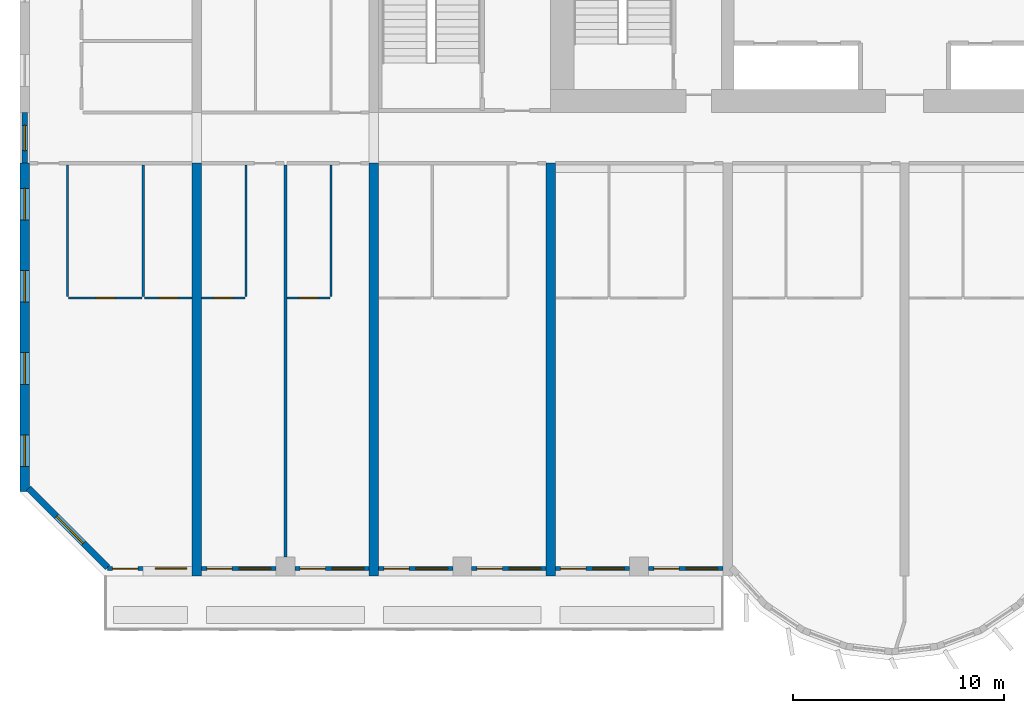
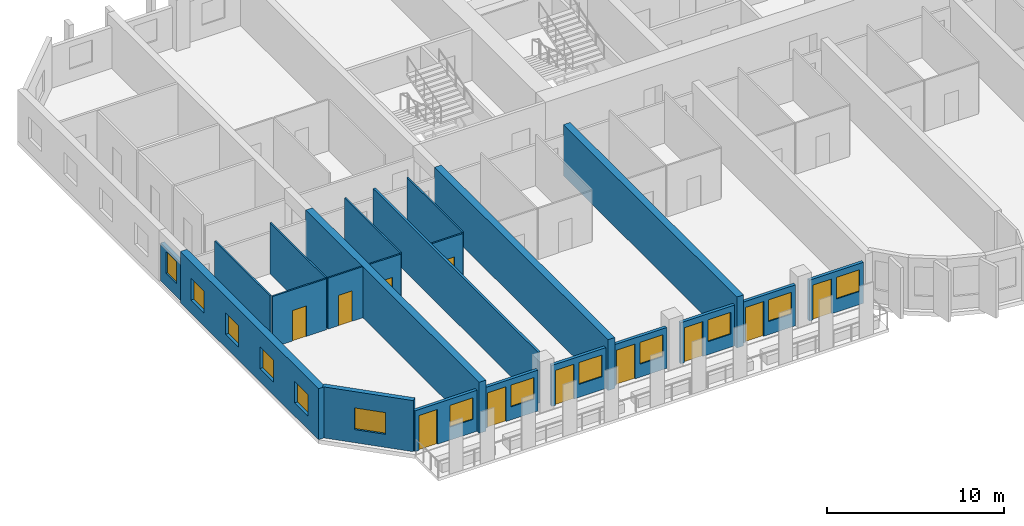
# One storey, part 2 of 14: 22 walls, 13 windows, 11 doors, 24 openings.
"""IFC4 building model written with IfcOpenShell, lengths in metres."""

from ifc_helpers import new_model, si_unit, direction, frame, frame_2d, origin, place, context, subcontext, project, spatial, rectangle, extrude, source, transform, mapped, material, layer, layer_set, type_object, element, fill, save


model = new_model("IFC4")

# Units and contexts
model_context = context("Model", 3, precision=1e-05, world=origin(), true_north=direction((0.0, 1.0)))
body_context = subcontext(model_context, "Body", "Model", "MODEL_VIEW")
ifc_project = project(units=[si_unit("LENGTHUNIT", "METRE"), si_unit("AREAUNIT", "SQUARE_METRE"), si_unit("VOLUMEUNIT", "CUBIC_METRE"), si_unit("PLANEANGLEUNIT", "RADIAN"), si_unit("MASSUNIT", "GRAM", prefix="KILO")], contexts=[model_context])

# Site, building, storey
site_placement = place(None, origin())
site = spatial("IfcSite", under=ifc_project, at=site_placement, CompositionType="ELEMENT")
building_placement = place(site_placement, origin())
building = spatial("IfcBuilding", under=site, at=building_placement, Name="Vanashikhar Sky Hotel", CompositionType="ELEMENT")
storey_placement = place(building_placement, frame((0.0, 0.0, 43.0)))
storey = spatial("IfcBuildingStorey", under=building, at=storey_placement, Name="L09", CompositionType="ELEMENT", Elevation=43.0)

# Wall, openings, windows
ifc_material_1 = material(Name="Concrete M80", Category="concrete")
ifc_layer_1 = layer(ifc_material_1, 0.449951171875)
ifc_layer_set_1 = layer_set([ifc_layer_1], Name="RC shear wall 450 Concrete M80")
wall_type_1 = type_object("IfcWallType", Name="RC shear wall 450 Concrete M80", PredefinedType="SHEAR", material=ifc_layer_set_1)
shared_shape_1 = source(origin(), body_context, "Body", "SweptSolid", [
    extrude(rectangle(XDim=15.60009765625, YDim=0.449951171875, at=frame_2d((7.800048828125, 0.0))), origin(), (0.0, 0.0, 1.0), 3.52001953125),
])
wall_1_placement = place(storey_placement, frame((0.22509765625, 4.0, 0.0), z_axis=(0.0, 0.0, 1.0), x_axis=(0.0, 1.0, 0.0)))
wall_1 = element("IfcWall", 1, at=wall_1_placement, inside=storey, type_object=wall_type_1, Name="CW-L09-XW01-1", PredefinedType="SHEAR", context=body_context, shape_type="MappedRepresentation", body=[
    mapped(shared_shape_1, transform((0.0, 0.0, 0.0), scale=1.0)),
])
shared_shape_2 = source(origin(), body_context, "Body", "SweptSolid", [
    extrude(rectangle(XDim=1.5, YDim=1.5, at=frame_2d((0.75, 0.75))), frame((0.0, 0.23486328125, 0.0), z_axis=(0.0, -1.0, 0.0), x_axis=(1.0, 0.0, 0.0)), (0.0, 0.0, 1.0), 0.469970703125),
])
opening_1_placement = place(wall_1_placement, frame((1.199951171875, 0.0, 0.89990234375)))
opening_1 = element("IfcOpeningElement", 2, at=opening_1_placement, cuts=wall_1, Name="Opening WN-1", PredefinedType="OPENING", context=body_context, shape_type="MappedRepresentation", body=[
    mapped(shared_shape_2, transform((0.0, 0.0, 0.0), scale=1.0)),
])
opening_2_placement = place(wall_1_placement, frame((5.10009765625, 0.0, 0.89990234375)))
opening_2 = element("IfcOpeningElement", 3, at=opening_2_placement, cuts=wall_1, Name="Opening WN-1", PredefinedType="OPENING", context=body_context, shape_type="MappedRepresentation", body=[
    mapped(shared_shape_2, transform((0.0, 0.0, 0.0), scale=1.0)),
])
opening_3_placement = place(wall_1_placement, frame((9.0, 0.0, 0.89990234375)))
opening_3 = element("IfcOpeningElement", 4, at=opening_3_placement, cuts=wall_1, Name="Opening WN-1", PredefinedType="OPENING", context=body_context, shape_type="MappedRepresentation", body=[
    mapped(shared_shape_2, transform((0.0, 0.0, 0.0), scale=1.0)),
])
opening_4_placement = place(wall_1_placement, frame((12.89990234375, 0.0, 0.89990234375)))
opening_4 = element("IfcOpeningElement", 5, at=opening_4_placement, cuts=wall_1, Name="Opening WN-1", PredefinedType="OPENING", context=body_context, shape_type="MappedRepresentation", body=[
    mapped(shared_shape_2, transform((0.0, 0.0, 0.0), scale=1.0)),
])
ifc_material_2 = material(Name="Glass", Category="glass")
window_type_1 = type_object("IfcWindowType", Name="Window 1500 x 1500", PartitioningType="SINGLE_PANEL", PredefinedType="WINDOW", material=ifc_material_2)
shared_shape_3 = source(origin(), body_context, "Body", "SweptSolid", [
    extrude(rectangle(XDim=1.5, YDim=1.5, at=frame_2d((0.75, 0.75))), frame((0.0, 0.030029296875, 0.0), z_axis=(0.0, -1.0, 0.0), x_axis=(1.0, 0.0, 0.0)), (0.0, 0.0, 1.0), 0.06005859375),
])
window_1_placement = place(opening_1_placement, origin())
window_1 = element("IfcWindow", 6, at=window_1_placement, inside=storey, type_object=window_type_1, Name="Window WN-1", OverallHeight=1.5, OverallWidth=1.5, PartitioningType="SINGLE_PANEL", PredefinedType="WINDOW", context=body_context, shape_type="MappedRepresentation", body=[
    mapped(shared_shape_3, transform((0.0, 0.0, 0.0), scale=1.0)),
])
fill(opening_1, window_1)
window_2_placement = place(opening_2_placement, origin())
window_2 = element("IfcWindow", 7, at=window_2_placement, inside=storey, type_object=window_type_1, Name="Window WN-1", OverallHeight=1.5, OverallWidth=1.5, PartitioningType="SINGLE_PANEL", PredefinedType="WINDOW", context=body_context, shape_type="MappedRepresentation", body=[
    mapped(shared_shape_3, transform((0.0, 0.0, 0.0), scale=1.0)),
])
fill(opening_2, window_2)
window_3_placement = place(opening_3_placement, origin())
window_3 = element("IfcWindow", 8, at=window_3_placement, inside=storey, type_object=window_type_1, Name="Window WN-1", OverallHeight=1.5, OverallWidth=1.5, PartitioningType="SINGLE_PANEL", PredefinedType="WINDOW", context=body_context, shape_type="MappedRepresentation", body=[
    mapped(shared_shape_3, transform((0.0, 0.0, 0.0), scale=1.0)),
])
fill(opening_3, window_3)
window_4_placement = place(opening_4_placement, origin())
window_4 = element("IfcWindow", 9, at=window_4_placement, inside=storey, type_object=window_type_1, Name="Window WN-1", OverallHeight=1.5, OverallWidth=1.5, PartitioningType="SINGLE_PANEL", PredefinedType="WINDOW", context=body_context, shape_type="MappedRepresentation", body=[
    mapped(shared_shape_3, transform((0.0, 0.0, 0.0), scale=1.0)),
])
fill(opening_4, window_4)

# Walls
shared_shape_4 = source(origin(), body_context, "Body", "SweptSolid", [
    extrude(rectangle(XDim=19.60009765625, YDim=0.449951171875, at=frame_2d((9.800048828125, 0.0))), origin(), (0.0, 0.0, 1.0), 3.52001953125),
])
for number, where, z_axis, x_axis, name in (
    (10, (8.39990234375, 0.0, 0.0), (0.0, 0.0, 1.0), (0.0, 1.0, 0.0), "CW-L09-XW02-1"),
    (11, (16.800048828125, 0.0, 0.0), (0.0, 0.0, 1.0), (0.0, 1.0, 0.0), "CW-L09-XW03-1"),
    (12, (25.199951171875, 0.0, 0.0), (0.0, 0.0, 1.0), (0.0, 1.0, 0.0), "CW-L09-XW04-1"),
):
    element("IfcWall", number, at=place(storey_placement, frame(where, z_axis=z_axis, x_axis=x_axis)), inside=storey, type_object=wall_type_1, Name=name, PredefinedType="SHEAR", context=body_context, shape_type="MappedRepresentation", body=[
        mapped(shared_shape_4, transform((0.0, 0.0, 0.0), scale=1.0)),
    ])

# Wall, opening, window
ifc_material_3 = material(Name="Concrete M50", Category="concrete")
ifc_layer_2 = layer(ifc_material_3, 0.300048828125)
ifc_layer_set_2 = layer_set([ifc_layer_2], Name="Lobe wall 300")
wall_type_2 = type_object("IfcWallType", Name="Lobe wall 300", PredefinedType="SOLIDWALL", material=ifc_layer_set_2)
shared_shape_5 = source(origin(), body_context, "Body", "SweptSolid", [
    extrude(rectangle(XDim=5.32568359375, YDim=0.300048828125, at=frame_2d((2.662841796875, 0.0))), origin(), (0.0, 0.0, 1.0), 3.52001953125),
])
wall_2_placement = place(storey_placement, frame((0.39990234375, 4.165771484375, 0.0), z_axis=(0.0, 0.0, 1.0), x_axis=(0.707106781187, -0.707106781187, 0.0)))
wall_2 = element("IfcWall", 13, at=wall_2_placement, inside=storey, type_object=wall_type_2, Name="Corner wall", PredefinedType="SOLIDWALL", context=body_context, shape_type="MappedRepresentation", body=[
    mapped(shared_shape_5, transform((0.0, 0.0, 0.0), scale=1.0)),
])
shared_shape_6 = source(origin(), body_context, "Body", "SweptSolid", [
    extrude(rectangle(XDim=1.800048828125, YDim=1.5, at=frame_2d((0.89990234375, 0.75))), frame((0.0, 0.16015625, 0.0), z_axis=(0.0, -1.0, 0.0), x_axis=(1.0, 0.0, 0.0)), (0.0, 0.0, 1.0), 0.320068359375),
])
opening_5_placement = place(wall_2_placement, frame((1.888916015625, 0.0, 0.89990234375)))
opening_5 = element("IfcOpeningElement", 14, at=opening_5_placement, cuts=wall_2, Name="Opening WN-4", PredefinedType="OPENING", context=body_context, shape_type="MappedRepresentation", body=[
    mapped(shared_shape_6, transform((0.0, 0.0, 0.0), scale=1.0)),
])
window_type_2 = type_object("IfcWindowType", Name="Corner window 1800 x 1500", PartitioningType="SINGLE_PANEL", PredefinedType="WINDOW", material=ifc_material_2)
shared_shape_7 = source(origin(), body_context, "Body", "SweptSolid", [
    extrude(rectangle(XDim=1.800048828125, YDim=1.5, at=frame_2d((0.89990234375, 0.75))), frame((0.0, 0.030029296875, 0.0), z_axis=(0.0, -1.0, 0.0), x_axis=(1.0, 0.0, 0.0)), (0.0, 0.0, 1.0), 0.06005859375),
])
window_5_placement = place(opening_5_placement, origin())
window_5 = element("IfcWindow", 15, at=window_5_placement, inside=storey, type_object=window_type_2, Name="Window WN-4", OverallHeight=1.5, OverallWidth=1.800048828125, PartitioningType="SINGLE_PANEL", PredefinedType="WINDOW", context=body_context, shape_type="MappedRepresentation", body=[
    mapped(shared_shape_7, transform((0.0, 0.0, 0.0), scale=1.0)),
])
fill(opening_5, window_5)

ifc_layer_3 = layer(ifc_material_3, 0.25)
ifc_layer_set_3 = layer_set([ifc_layer_3], Name="Rear and end board-marked wall 250")
wall_type_3 = type_object("IfcWallType", Name="Rear and end board-marked wall 250", PredefinedType="SOLIDWALL", material=ifc_layer_set_3)
shared_shape_8 = source(origin(), body_context, "Body", "SweptSolid", [
    extrude(rectangle(XDim=2.39990234375, YDim=0.25, at=frame_2d((1.199951171875, 0.0))), origin(), (0.0, 0.0, 1.0), 2.6201171875),
])
wall_3_placement = place(storey_placement, frame((0.22509765625, 19.60009765625, 0.0), z_axis=(0.0, 0.0, 1.0), x_axis=(0.0, 1.0, 0.0)))
wall_3 = element("IfcWall", 16, at=wall_3_placement, inside=storey, type_object=wall_type_3, Name="End corridor infill wall", PredefinedType="SOLIDWALL", context=body_context, shape_type="MappedRepresentation", body=[
    mapped(shared_shape_8, transform((0.0, 0.0, 0.0), scale=1.0)),
])
shared_shape_9 = source(origin(), body_context, "Body", "SweptSolid", [
    extrude(rectangle(XDim=1.199951171875, YDim=1.5, at=frame_2d((0.60009765625, 0.75))), frame((0.0, 0.135009765625, 0.0), z_axis=(0.0, -1.0, 0.0), x_axis=(1.0, 0.0, 0.0)), (0.0, 0.0, 1.0), 0.27001953125),
])
opening_6_placement = place(wall_3_placement, frame((0.60009765625, 0.0, 0.89990234375)))
opening_6 = element("IfcOpeningElement", 17, at=opening_6_placement, cuts=wall_3, Name="Opening WN-3", PredefinedType="OPENING", context=body_context, shape_type="MappedRepresentation", body=[
    mapped(shared_shape_9, transform((0.0, 0.0, 0.0), scale=1.0)),
])
window_type_3 = type_object("IfcWindowType", Name="Corridor end window 1200 x 1500", PartitioningType="SINGLE_PANEL", PredefinedType="WINDOW", material=ifc_material_2)
shared_shape_10 = source(origin(), body_context, "Body", "SweptSolid", [
    extrude(rectangle(XDim=1.199951171875, YDim=1.5, at=frame_2d((0.60009765625, 0.75))), frame((0.0, 0.030029296875, 0.0), z_axis=(0.0, -1.0, 0.0), x_axis=(1.0, 0.0, 0.0)), (0.0, 0.0, 1.0), 0.06005859375),
])
window_6_placement = place(opening_6_placement, origin())
window_6 = element("IfcWindow", 18, at=window_6_placement, inside=storey, type_object=window_type_3, Name="Window WN-3", OverallHeight=1.5, OverallWidth=1.199951171875, PartitioningType="SINGLE_PANEL", PredefinedType="WINDOW", context=body_context, shape_type="MappedRepresentation", body=[
    mapped(shared_shape_10, transform((0.0, 0.0, 0.0), scale=1.0)),
])
fill(opening_6, window_6)

# Wall, openings, window, door
ifc_layer_4 = layer(ifc_material_3, 0.199951171875)
ifc_layer_set_4 = layer_set([ifc_layer_4], Name="Front window wall 200")
wall_type_4 = type_object("IfcWallType", Name="Front window wall 200", PredefinedType="SOLIDWALL", material=ifc_layer_set_4)
shared_shape_11 = source(origin(), body_context, "Body", "SweptSolid", [
    extrude(rectangle(XDim=4.030029296875, YDim=0.199951171875, at=frame_2d((2.01513671875, 0.0))), origin(), (0.0, 0.0, 1.0), 2.820068359375),
])
wall_4_placement = place(storey_placement, frame((4.14501953125, 0.35009765625, 0.0), z_axis=(0.0, 0.0, 1.0), x_axis=(1.0, 0.0, 0.0)))
wall_4 = element("IfcWall", 19, at=wall_4_placement, inside=storey, type_object=wall_type_4, Name="Front window wall", PredefinedType="SOLIDWALL", context=body_context, shape_type="MappedRepresentation", body=[
    mapped(shared_shape_11, transform((0.0, 0.0, 0.0), scale=1.0)),
])
shared_shape_12 = source(origin(), body_context, "Body", "SweptSolid", [
    extrude(rectangle(XDim=1.199951171875, YDim=2.39990234375, at=frame_2d((0.60009765625, 1.199951171875))), frame((0.0, 0.10986328125, 0.0), z_axis=(0.0, -1.0, 0.0), x_axis=(1.0, 0.0, 0.0)), (0.0, 0.0, 1.0), 0.219970703125),
])
opening_7_placement = place(wall_4_placement, frame((0.25, 0.0, 0.0)))
opening_7 = element("IfcOpeningElement", 20, at=opening_7_placement, cuts=wall_4, Name="Opening BD-01", PredefinedType="OPENING", context=body_context, shape_type="MappedRepresentation", body=[
    mapped(shared_shape_12, transform((0.0, 0.0, 0.0), scale=1.0)),
])
shared_shape_13 = source(origin(), body_context, "Body", "SweptSolid", [
    extrude(rectangle(XDim=1.5, YDim=1.5, at=frame_2d((0.75, 0.75))), frame((0.0, 0.10986328125, 0.0), z_axis=(0.0, -1.0, 0.0), x_axis=(1.0, 0.0, 0.0)), (0.0, 0.0, 1.0), 0.219970703125),
])
opening_8_placement = place(wall_4_placement, frame((2.280029296875, 0.0, 0.89990234375)))
opening_8 = element("IfcOpeningElement", 21, at=opening_8_placement, cuts=wall_4, Name="Opening WN-1", PredefinedType="OPENING", context=body_context, shape_type="MappedRepresentation", body=[
    mapped(shared_shape_13, transform((0.0, 0.0, 0.0), scale=1.0)),
])
window_7_placement = place(opening_8_placement, origin())
window_7 = element("IfcWindow", 22, at=window_7_placement, inside=storey, type_object=window_type_1, Name="Window WN-1", OverallHeight=1.5, OverallWidth=1.5, PartitioningType="SINGLE_PANEL", PredefinedType="WINDOW", context=body_context, shape_type="MappedRepresentation", body=[
    mapped(shared_shape_3, transform((0.0, 0.0, 0.0), scale=1.0)),
])
fill(opening_8, window_7)
ifc_material_4 = material(Name="Aluminium", Category="aluminium")
door_type_1 = type_object("IfcDoorType", Name="Balcony sliding door 1200 x 2400", OperationType="NOTDEFINED", PredefinedType="DOOR", material=ifc_material_4)
shared_shape_14 = source(origin(), body_context, "Body", "SweptSolid", [
    extrude(rectangle(XDim=1.199951171875, YDim=2.39990234375, at=frame_2d((0.60009765625, 1.199951171875))), frame((0.0, 0.02490234375, 0.0), z_axis=(0.0, -1.0, 0.0), x_axis=(1.0, 0.0, 0.0)), (0.0, 0.0, 1.0), 0.050048828125),
])
door_1_placement = place(opening_7_placement, origin())
door_1 = element("IfcDoor", 23, at=door_1_placement, inside=storey, type_object=door_type_1, Name="Balcony sliding door", OperationType="SLIDING_TO_LEFT", OverallHeight=2.39990234375, OverallWidth=1.199951171875, PredefinedType="DOOR", context=body_context, shape_type="MappedRepresentation", body=[
    mapped(shared_shape_14, transform((0.0, 0.0, 0.0), scale=1.0)),
])
fill(opening_7, door_1)

shared_shape_15 = source(origin(), body_context, "Body", "SweptSolid", [
    extrude(rectangle(XDim=3.52490234375, YDim=0.199951171875, at=frame_2d((1.762451171875, 0.0))), origin(), (0.0, 0.0, 1.0), 2.820068359375),
])
wall_5_placement = place(storey_placement, frame((8.625, 0.35009765625, 0.0), z_axis=(0.0, 0.0, 1.0), x_axis=(1.0, 0.0, 0.0)))
wall_5 = element("IfcWall", 24, at=wall_5_placement, inside=storey, type_object=wall_type_4, Name="Front window wall", PredefinedType="SOLIDWALL", context=body_context, shape_type="MappedRepresentation", body=[
    mapped(shared_shape_15, transform((0.0, 0.0, 0.0), scale=1.0)),
])
opening_9_placement = place(wall_5_placement, frame((0.25, 0.0, 0.0)))
opening_9 = element("IfcOpeningElement", 25, at=opening_9_placement, cuts=wall_5, Name="Opening BD-02", PredefinedType="OPENING", context=body_context, shape_type="MappedRepresentation", body=[
    mapped(shared_shape_12, transform((0.0, 0.0, 0.0), scale=1.0)),
])
opening_10_placement = place(wall_5_placement, frame((1.77490234375, 0.0, 0.89990234375)))
opening_10 = element("IfcOpeningElement", 26, at=opening_10_placement, cuts=wall_5, Name="Opening WN-1", PredefinedType="OPENING", context=body_context, shape_type="MappedRepresentation", body=[
    mapped(shared_shape_13, transform((0.0, 0.0, 0.0), scale=1.0)),
])
window_8_placement = place(opening_10_placement, origin())
window_8 = element("IfcWindow", 27, at=window_8_placement, inside=storey, type_object=window_type_1, Name="Window WN-1", OverallHeight=1.5, OverallWidth=1.5, PartitioningType="SINGLE_PANEL", PredefinedType="WINDOW", context=body_context, shape_type="MappedRepresentation", body=[
    mapped(shared_shape_3, transform((0.0, 0.0, 0.0), scale=1.0)),
])
fill(opening_10, window_8)
door_2_placement = place(opening_9_placement, origin())
door_2 = element("IfcDoor", 28, at=door_2_placement, inside=storey, type_object=door_type_1, Name="Balcony sliding door", OperationType="SLIDING_TO_RIGHT", OverallHeight=2.39990234375, OverallWidth=1.199951171875, PredefinedType="DOOR", context=body_context, shape_type="MappedRepresentation", body=[
    mapped(shared_shape_14, transform((0.0, 0.0, 0.0), scale=1.0)),
])
fill(opening_9, door_2)

wall_6_placement = place(storey_placement, frame((13.050048828125, 0.35009765625, 0.0), z_axis=(0.0, 0.0, 1.0), x_axis=(1.0, 0.0, 0.0)))
wall_6 = element("IfcWall", 29, at=wall_6_placement, inside=storey, type_object=wall_type_4, Name="Front window wall", PredefinedType="SOLIDWALL", context=body_context, shape_type="MappedRepresentation", body=[
    mapped(shared_shape_15, transform((0.0, 0.0, 0.0), scale=1.0)),
])
opening_11_placement = place(wall_6_placement, frame((0.25, 0.0, 0.0)))
opening_11 = element("IfcOpeningElement", 30, at=opening_11_placement, cuts=wall_6, Name="Opening BD-03", PredefinedType="OPENING", context=body_context, shape_type="MappedRepresentation", body=[
    mapped(shared_shape_12, transform((0.0, 0.0, 0.0), scale=1.0)),
])
opening_12_placement = place(wall_6_placement, frame((1.77490234375, 0.0, 0.89990234375)))
opening_12 = element("IfcOpeningElement", 31, at=opening_12_placement, cuts=wall_6, Name="Opening WN-1", PredefinedType="OPENING", context=body_context, shape_type="MappedRepresentation", body=[
    mapped(shared_shape_13, transform((0.0, 0.0, 0.0), scale=1.0)),
])
window_9_placement = place(opening_12_placement, origin())
window_9 = element("IfcWindow", 32, at=window_9_placement, inside=storey, type_object=window_type_1, Name="Window WN-1", OverallHeight=1.5, OverallWidth=1.5, PartitioningType="SINGLE_PANEL", PredefinedType="WINDOW", context=body_context, shape_type="MappedRepresentation", body=[
    mapped(shared_shape_3, transform((0.0, 0.0, 0.0), scale=1.0)),
])
fill(opening_12, window_9)
door_3_placement = place(opening_11_placement, origin())
door_3 = element("IfcDoor", 33, at=door_3_placement, inside=storey, type_object=door_type_1, Name="Balcony sliding door", OperationType="SLIDING_TO_LEFT", OverallHeight=2.39990234375, OverallWidth=1.199951171875, PredefinedType="DOOR", context=body_context, shape_type="MappedRepresentation", body=[
    mapped(shared_shape_14, transform((0.0, 0.0, 0.0), scale=1.0)),
])
fill(opening_11, door_3)

wall_7_placement = place(storey_placement, frame((25.425048828125, 0.35009765625, 0.0), z_axis=(0.0, 0.0, 1.0), x_axis=(1.0, 0.0, 0.0)))
wall_7 = element("IfcWall", 34, at=wall_7_placement, inside=storey, type_object=wall_type_4, Name="Front window wall", PredefinedType="SOLIDWALL", context=body_context, shape_type="MappedRepresentation", body=[
    mapped(shared_shape_15, transform((0.0, 0.0, 0.0), scale=1.0)),
])
opening_13_placement = place(wall_7_placement, frame((0.25, 0.0, 0.0)))
opening_13 = element("IfcOpeningElement", 35, at=opening_13_placement, cuts=wall_7, Name="Opening BD-06", PredefinedType="OPENING", context=body_context, shape_type="MappedRepresentation", body=[
    mapped(shared_shape_12, transform((0.0, 0.0, 0.0), scale=1.0)),
])
opening_14_placement = place(wall_7_placement, frame((1.77490234375, 0.0, 0.89990234375)))
opening_14 = element("IfcOpeningElement", 36, at=opening_14_placement, cuts=wall_7, Name="Opening WN-1", PredefinedType="OPENING", context=body_context, shape_type="MappedRepresentation", body=[
    mapped(shared_shape_13, transform((0.0, 0.0, 0.0), scale=1.0)),
])
window_10_placement = place(opening_14_placement, origin())
window_10 = element("IfcWindow", 37, at=window_10_placement, inside=storey, type_object=window_type_1, Name="Window WN-1", OverallHeight=1.5, OverallWidth=1.5, PartitioningType="SINGLE_PANEL", PredefinedType="WINDOW", context=body_context, shape_type="MappedRepresentation", body=[
    mapped(shared_shape_3, transform((0.0, 0.0, 0.0), scale=1.0)),
])
fill(opening_14, window_10)
door_4_placement = place(opening_13_placement, origin())
door_4 = element("IfcDoor", 38, at=door_4_placement, inside=storey, type_object=door_type_1, Name="Balcony sliding door", OperationType="SLIDING_TO_RIGHT", OverallHeight=2.39990234375, OverallWidth=1.199951171875, PredefinedType="DOOR", context=body_context, shape_type="MappedRepresentation", body=[
    mapped(shared_shape_14, transform((0.0, 0.0, 0.0), scale=1.0)),
])
fill(opening_13, door_4)

wall_8_placement = place(storey_placement, frame((29.85009765625, 0.35009765625, 0.0), z_axis=(0.0, 0.0, 1.0), x_axis=(1.0, 0.0, 0.0)))
wall_8 = element("IfcWall", 39, at=wall_8_placement, inside=storey, type_object=wall_type_4, Name="Front window wall", PredefinedType="SOLIDWALL", context=body_context, shape_type="MappedRepresentation", body=[
    mapped(shared_shape_15, transform((0.0, 0.0, 0.0), scale=1.0)),
])
opening_15_placement = place(wall_8_placement, frame((0.25, 0.0, 0.0)))
opening_15 = element("IfcOpeningElement", 40, at=opening_15_placement, cuts=wall_8, Name="Opening BD-07", PredefinedType="OPENING", context=body_context, shape_type="MappedRepresentation", body=[
    mapped(shared_shape_12, transform((0.0, 0.0, 0.0), scale=1.0)),
])
opening_16_placement = place(wall_8_placement, frame((1.77490234375, 0.0, 0.89990234375)))
opening_16 = element("IfcOpeningElement", 41, at=opening_16_placement, cuts=wall_8, Name="Opening WN-1", PredefinedType="OPENING", context=body_context, shape_type="MappedRepresentation", body=[
    mapped(shared_shape_13, transform((0.0, 0.0, 0.0), scale=1.0)),
])
window_11_placement = place(opening_16_placement, origin())
window_11 = element("IfcWindow", 42, at=window_11_placement, inside=storey, type_object=window_type_1, Name="Window WN-1", OverallHeight=1.5, OverallWidth=1.5, PartitioningType="SINGLE_PANEL", PredefinedType="WINDOW", context=body_context, shape_type="MappedRepresentation", body=[
    mapped(shared_shape_3, transform((0.0, 0.0, 0.0), scale=1.0)),
])
fill(opening_16, window_11)
door_5_placement = place(opening_15_placement, origin())
door_5 = element("IfcDoor", 43, at=door_5_placement, inside=storey, type_object=door_type_1, Name="Balcony sliding door", OperationType="SLIDING_TO_LEFT", OverallHeight=2.39990234375, OverallWidth=1.199951171875, PredefinedType="DOOR", context=body_context, shape_type="MappedRepresentation", body=[
    mapped(shared_shape_14, transform((0.0, 0.0, 0.0), scale=1.0)),
])
fill(opening_15, door_5)

shared_shape_16 = source(origin(), body_context, "Body", "SweptSolid", [
    extrude(rectangle(XDim=3.525146484375, YDim=0.199951171875, at=frame_2d((1.7626953125, 0.0))), origin(), (0.0, 0.0, 1.0), 2.820068359375),
])
wall_9_placement = place(storey_placement, frame((17.02490234375, 0.35009765625, 0.0), z_axis=(0.0, 0.0, 1.0), x_axis=(1.0, 0.0, 0.0)))
wall_9 = element("IfcWall", 44, at=wall_9_placement, inside=storey, type_object=wall_type_4, Name="Front window wall", PredefinedType="SOLIDWALL", context=body_context, shape_type="MappedRepresentation", body=[
    mapped(shared_shape_16, transform((0.0, 0.0, 0.0), scale=1.0)),
])
opening_17_placement = place(wall_9_placement, frame((0.25, 0.0, 0.0)))
opening_17 = element("IfcOpeningElement", 45, at=opening_17_placement, cuts=wall_9, Name="Opening BD-04", PredefinedType="OPENING", context=body_context, shape_type="MappedRepresentation", body=[
    mapped(shared_shape_12, transform((0.0, 0.0, 0.0), scale=1.0)),
])
opening_18_placement = place(wall_9_placement, frame((1.77490234375, 0.0, 0.89990234375)))
opening_18 = element("IfcOpeningElement", 46, at=opening_18_placement, cuts=wall_9, Name="Opening WN-1", PredefinedType="OPENING", context=body_context, shape_type="MappedRepresentation", body=[
    mapped(shared_shape_13, transform((0.0, 0.0, 0.0), scale=1.0)),
])
window_12_placement = place(opening_18_placement, origin())
window_12 = element("IfcWindow", 47, at=window_12_placement, inside=storey, type_object=window_type_1, Name="Window WN-1", OverallHeight=1.5, OverallWidth=1.5, PartitioningType="SINGLE_PANEL", PredefinedType="WINDOW", context=body_context, shape_type="MappedRepresentation", body=[
    mapped(shared_shape_3, transform((0.0, 0.0, 0.0), scale=1.0)),
])
fill(opening_18, window_12)
door_6_placement = place(opening_17_placement, origin())
door_6 = element("IfcDoor", 48, at=door_6_placement, inside=storey, type_object=door_type_1, Name="Balcony sliding door", OperationType="SLIDING_TO_RIGHT", OverallHeight=2.39990234375, OverallWidth=1.199951171875, PredefinedType="DOOR", context=body_context, shape_type="MappedRepresentation", body=[
    mapped(shared_shape_14, transform((0.0, 0.0, 0.0), scale=1.0)),
])
fill(opening_17, door_6)

wall_10_placement = place(storey_placement, frame((21.449951171875, 0.35009765625, 0.0), z_axis=(0.0, 0.0, 1.0), x_axis=(1.0, 0.0, 0.0)))
wall_10 = element("IfcWall", 49, at=wall_10_placement, inside=storey, type_object=wall_type_4, Name="Front window wall", PredefinedType="SOLIDWALL", context=body_context, shape_type="MappedRepresentation", body=[
    mapped(shared_shape_16, transform((0.0, 0.0, 0.0), scale=1.0)),
])
opening_19_placement = place(wall_10_placement, frame((0.25, 0.0, 0.0)))
opening_19 = element("IfcOpeningElement", 50, at=opening_19_placement, cuts=wall_10, Name="Opening BD-05", PredefinedType="OPENING", context=body_context, shape_type="MappedRepresentation", body=[
    mapped(shared_shape_12, transform((0.0, 0.0, 0.0), scale=1.0)),
])
opening_20_placement = place(wall_10_placement, frame((1.77490234375, 0.0, 0.89990234375)))
opening_20 = element("IfcOpeningElement", 51, at=opening_20_placement, cuts=wall_10, Name="Opening WN-1", PredefinedType="OPENING", context=body_context, shape_type="MappedRepresentation", body=[
    mapped(shared_shape_13, transform((0.0, 0.0, 0.0), scale=1.0)),
])
window_13_placement = place(opening_20_placement, origin())
window_13 = element("IfcWindow", 52, at=window_13_placement, inside=storey, type_object=window_type_1, Name="Window WN-1", OverallHeight=1.5, OverallWidth=1.5, PartitioningType="SINGLE_PANEL", PredefinedType="WINDOW", context=body_context, shape_type="MappedRepresentation", body=[
    mapped(shared_shape_3, transform((0.0, 0.0, 0.0), scale=1.0)),
])
fill(opening_20, window_13)
door_7_placement = place(opening_19_placement, origin())
door_7 = element("IfcDoor", 53, at=door_7_placement, inside=storey, type_object=door_type_1, Name="Balcony sliding door", OperationType="SLIDING_TO_LEFT", OverallHeight=2.39990234375, OverallWidth=1.199951171875, PredefinedType="DOOR", context=body_context, shape_type="MappedRepresentation", body=[
    mapped(shared_shape_14, transform((0.0, 0.0, 0.0), scale=1.0)),
])
fill(opening_19, door_7)

# Wall, opening, door
ifc_material_5 = material(Name="Gypsum plasterboard partition")
ifc_layer_5 = layer(ifc_material_5, 0.10009765625)
ifc_layer_set_5 = layer_set([ifc_layer_5], Name="Wet room partition 100")
wall_type_5 = type_object("IfcWallType", Name="Wet room partition 100", PredefinedType="PARTITIONING", material=ifc_layer_set_5)
shared_shape_17 = source(origin(), body_context, "Body", "SweptSolid", [
    extrude(rectangle(XDim=2.050048828125, YDim=0.10009765625, at=frame_2d((1.02490234375, 0.0))), origin(), (0.0, 0.0, 1.0), 3.52001953125),
])
wall_11_placement = place(storey_placement, frame((8.625, 13.199951171875, 0.0), z_axis=(0.0, 0.0, 1.0), x_axis=(1.0, 0.0, 0.0)))
wall_11 = element("IfcWall", 54, at=wall_11_placement, inside=storey, type_object=wall_type_5, Name="W-L09-PW007", PredefinedType="PARTITIONING", context=body_context, shape_type="MappedRepresentation", body=[
    mapped(shared_shape_17, transform((0.0, 0.0, 0.0), scale=1.0)),
])
shared_shape_18 = source(origin(), body_context, "Body", "SweptSolid", [
    extrude(rectangle(XDim=0.89990234375, YDim=2.10009765625, at=frame_2d((0.449951171875, 1.050048828125))), frame((0.0, 0.06005859375, 0.0), z_axis=(0.0, -1.0, 0.0), x_axis=(1.0, 0.0, 0.0)), (0.0, 0.0, 1.0), 0.1201171875),
])
opening_21_placement = place(wall_11_placement, frame((0.574951171875, 0.0, 0.0)))
opening_21 = element("IfcOpeningElement", 55, at=opening_21_placement, cuts=wall_11, Name="Opening D-02", PredefinedType="OPENING", context=body_context, shape_type="MappedRepresentation", body=[
    mapped(shared_shape_18, transform((0.0, 0.0, 0.0), scale=1.0)),
])
ifc_material_6 = material(Name="Timber door", Category="wood")
door_type_2 = type_object("IfcDoorType", Name="Internal door 900", OperationType="NOTDEFINED", PredefinedType="DOOR", material=ifc_material_6)
shared_shape_19 = source(origin(), body_context, "Body", "SweptSolid", [
    extrude(rectangle(XDim=0.89990234375, YDim=2.10009765625, at=frame_2d((0.449951171875, 1.050048828125))), frame((0.0, 0.02490234375, 0.0), z_axis=(0.0, -1.0, 0.0), x_axis=(1.0, 0.0, 0.0)), (0.0, 0.0, 1.0), 0.050048828125),
])
door_8_placement = place(opening_21_placement, origin())
door_8 = element("IfcDoor", 56, at=door_8_placement, inside=storey, type_object=door_type_2, Name="D-L09-004", OperationType="SINGLE_SWING_RIGHT", OverallHeight=2.10009765625, OverallWidth=0.89990234375, PredefinedType="DOOR", context=body_context, shape_type="MappedRepresentation", body=[
    mapped(shared_shape_19, transform((0.0, 0.0, 0.0), scale=1.0)),
])
fill(opening_21, door_8)

wall_12_placement = place(storey_placement, frame((12.675048828125, 13.199951171875, 0.0), z_axis=(0.0, 0.0, 1.0), x_axis=(1.0, 0.0, 0.0)))
wall_12 = element("IfcWall", 57, at=wall_12_placement, inside=storey, type_object=wall_type_5, Name="W-L09-PW010", PredefinedType="PARTITIONING", context=body_context, shape_type="MappedRepresentation", body=[
    mapped(shared_shape_17, transform((0.0, 0.0, 0.0), scale=1.0)),
])
opening_22_placement = place(wall_12_placement, frame((0.574951171875, 0.0, 0.0)))
opening_22 = element("IfcOpeningElement", 58, at=opening_22_placement, cuts=wall_12, Name="Opening D-02", PredefinedType="OPENING", context=body_context, shape_type="MappedRepresentation", body=[
    mapped(shared_shape_18, transform((0.0, 0.0, 0.0), scale=1.0)),
])
door_9_placement = place(opening_22_placement, origin())
door_9 = element("IfcDoor", 59, at=door_9_placement, inside=storey, type_object=door_type_2, Name="D-L09-006", OperationType="SINGLE_SWING_RIGHT", OverallHeight=2.10009765625, OverallWidth=0.89990234375, PredefinedType="DOOR", context=body_context, shape_type="MappedRepresentation", body=[
    mapped(shared_shape_19, transform((0.0, 0.0, 0.0), scale=1.0)),
])
fill(opening_22, door_9)

# Wall
ifc_layer_6 = layer(ifc_material_5, 0.14990234375)
ifc_layer_set_6 = layer_set([ifc_layer_6], Name="Corridor and demising partition 150")
wall_type_6 = type_object("IfcWallType", Name="Corridor and demising partition 150", PredefinedType="PARTITIONING", material=ifc_layer_set_6)
shared_shape_20 = source(origin(), body_context, "Body", "SweptSolid", [
    extrude(rectangle(XDim=18.625, YDim=0.14990234375, at=frame_2d((9.3125, 0.0))), origin(), (0.0, 0.0, 1.0), 3.52001953125),
])
wall_13_placement = place(storey_placement, frame((12.60009765625, 0.89990234375, 0.0), z_axis=(0.0, 0.0, 1.0), x_axis=(0.0, 1.0, 0.0)))
element("IfcWall", 60, at=wall_13_placement, inside=storey, type_object=wall_type_6, Name="W-L09-PW012", PredefinedType="PARTITIONING", context=body_context, shape_type="MappedRepresentation", body=[
    mapped(shared_shape_20, transform((0.0, 0.0, 0.0), scale=1.0)),
])

# Wall, opening, door
shared_shape_21 = source(origin(), body_context, "Body", "SweptSolid", [
    extrude(rectangle(XDim=3.5, YDim=0.10009765625, at=frame_2d((1.75, 0.0))), origin(), (0.0, 0.0, 1.0), 3.52001953125),
])
wall_14_placement = place(storey_placement, frame((2.300048828125, 13.199951171875, 0.0), z_axis=(0.0, 0.0, 1.0), x_axis=(1.0, 0.0, 0.0)))
wall_14 = element("IfcWall", 61, at=wall_14_placement, inside=storey, type_object=wall_type_5, Name="W-L09-PW003", PredefinedType="PARTITIONING", context=body_context, shape_type="MappedRepresentation", body=[
    mapped(shared_shape_21, transform((0.0, 0.0, 0.0), scale=1.0)),
])
opening_23_placement = place(wall_14_placement, frame((1.300048828125, 0.0, 0.0)))
opening_23 = element("IfcOpeningElement", 62, at=opening_23_placement, cuts=wall_14, Name="Opening D-02", PredefinedType="OPENING", context=body_context, shape_type="MappedRepresentation", body=[
    mapped(shared_shape_18, transform((0.0, 0.0, 0.0), scale=1.0)),
])
door_10_placement = place(opening_23_placement, origin())
door_10 = element("IfcDoor", 63, at=door_10_placement, inside=storey, type_object=door_type_2, Name="D-L09-001", OperationType="SINGLE_SWING_LEFT", OverallHeight=2.10009765625, OverallWidth=0.89990234375, PredefinedType="DOOR", context=body_context, shape_type="MappedRepresentation", body=[
    mapped(shared_shape_19, transform((0.0, 0.0, 0.0), scale=1.0)),
])
fill(opening_23, door_10)

# Walls
shared_shape_22 = source(origin(), body_context, "Body", "SweptSolid", [
    extrude(rectangle(XDim=6.25, YDim=0.10009765625, at=frame_2d((3.125, 0.0))), origin(), (0.0, 0.0, 1.0), 3.52001953125),
])
for number, where, z_axis, x_axis, name in (
    (64, (2.25, 13.27490234375, 0.0), (0.0, 0.0, 1.0), (0.0, 1.0, 0.0), "W-L09-PW001"),
    (65, (5.85009765625, 13.27490234375, 0.0), (0.0, 0.0, 1.0), (0.0, 1.0, 0.0), "W-L09-PW002"),
    (66, (10.72509765625, 13.27490234375, 0.0), (0.0, 0.0, 1.0), (0.0, 1.0, 0.0), "W-L09-PW006"),
    (67, (14.77490234375, 13.27490234375, 0.0), (0.0, 0.0, 1.0), (0.0, 1.0, 0.0), "W-L09-PW009"),
):
    element("IfcWall", number, at=place(storey_placement, frame(where, z_axis=z_axis, x_axis=x_axis)), inside=storey, type_object=wall_type_5, Name=name, PredefinedType="PARTITIONING", context=body_context, shape_type="MappedRepresentation", body=[
        mapped(shared_shape_22, transform((0.0, 0.0, 0.0), scale=1.0)),
    ])

# Wall, opening, door
shared_shape_23 = source(origin(), body_context, "Body", "SweptSolid", [
    extrude(rectangle(XDim=2.275146484375, YDim=0.10009765625, at=frame_2d((1.1376953125, 0.0))), origin(), (0.0, 0.0, 1.0), 3.52001953125),
])
wall_15_placement = place(storey_placement, frame((5.89990234375, 13.199951171875, 0.0), z_axis=(0.0, 0.0, 1.0), x_axis=(1.0, 0.0, 0.0)))
wall_15 = element("IfcWall", 68, at=wall_15_placement, inside=storey, type_object=wall_type_5, Name="W-L09-PW004", PredefinedType="PARTITIONING", context=body_context, shape_type="MappedRepresentation", body=[
    mapped(shared_shape_23, transform((0.0, 0.0, 0.0), scale=1.0)),
])
opening_24_placement = place(wall_15_placement, frame((0.68701171875, 0.0, 0.0)))
opening_24 = element("IfcOpeningElement", 69, at=opening_24_placement, cuts=wall_15, Name="Opening D-02", PredefinedType="OPENING", context=body_context, shape_type="MappedRepresentation", body=[
    mapped(shared_shape_18, transform((0.0, 0.0, 0.0), scale=1.0)),
])
door_11_placement = place(opening_24_placement, origin())
door_11 = element("IfcDoor", 70, at=door_11_placement, inside=storey, type_object=door_type_2, Name="D-L09-002", OperationType="SINGLE_SWING_LEFT", OverallHeight=2.10009765625, OverallWidth=0.89990234375, PredefinedType="DOOR", context=body_context, shape_type="MappedRepresentation", body=[
    mapped(shared_shape_19, transform((0.0, 0.0, 0.0), scale=1.0)),
])
fill(opening_24, door_11)

save(model, "model.ifc")
